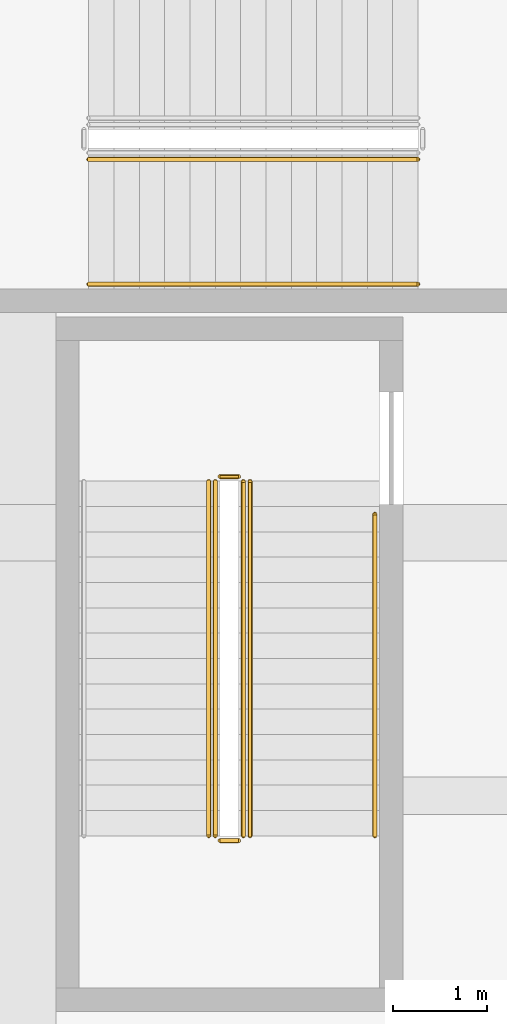
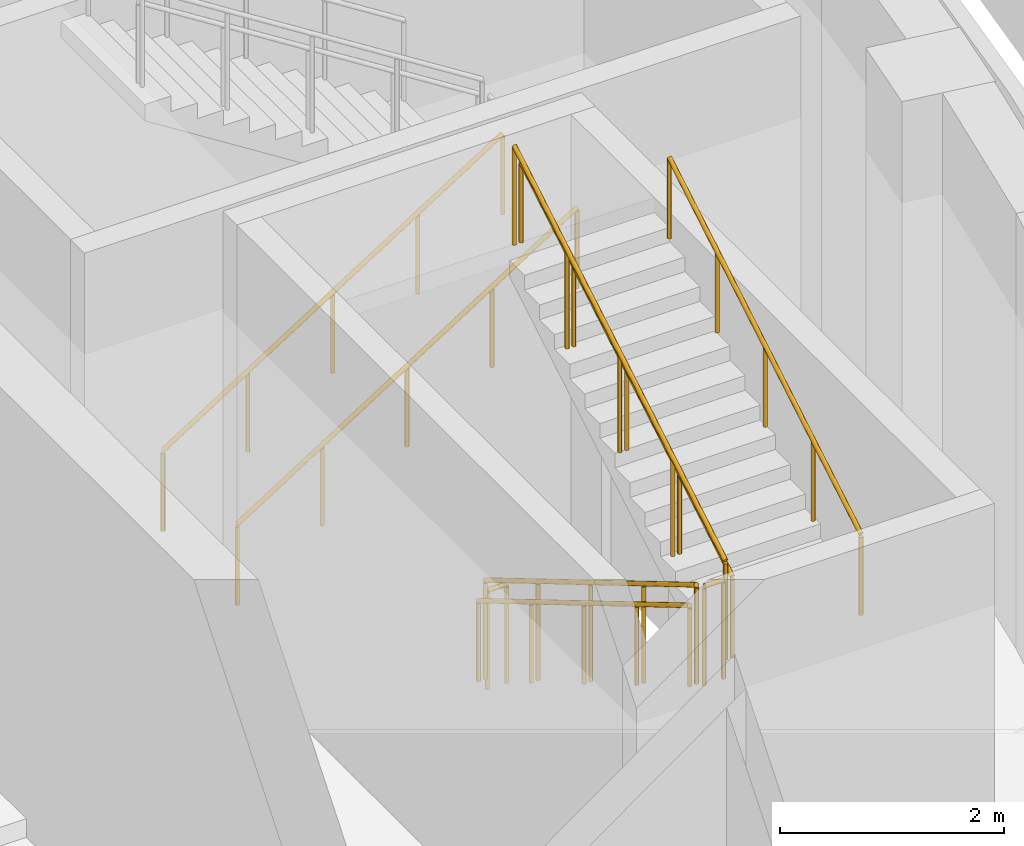
# One storey, part 102 of 119: 9 railings.
"""IFC4 building model written with IfcOpenShell, lengths in metres."""

import ifcopenshell
import ifcopenshell.guid

model = None  # the IFC model being written
_history = None  # IfcOwnerHistory: only IFC2X3 demands one
_inside = {}  # id of a spatial element -> (the spatial element, [elements in it])
_under = {}  # id of a project, library or spatial element -> (it, [spatial elements below it])
_declared = {}  # id of a project -> (the project, [libraries it declares])
_typed = {}  # id of a type object -> (the type object, [elements of that type])
_made_of = {}  # id of a material, layer set ... -> (it, [elements and type objects made of it])


def new_model(schema):
    """Start an empty IFC model of exactly this schema.

    Asked for "IFC4X3", IfcOpenShell would pick the latest addendum, in which some entities
    have other attributes; the version numbers below select the first issue.
    IFC2X3 requires an IfcOwnerHistory on every rooted entity: one is made here for all.
    """
    global model, _history
    if schema == "IFC4X3":
        model = ifcopenshell.file(schema_version=(4, 3, 0, 0))
    else:
        model = ifcopenshell.file(schema=schema)
    _inside.clear()
    _under.clear()
    _declared.clear()
    _typed.clear()
    _made_of.clear()
    _history = None
    if model.schema == "IFC2X3":
        org = make("IfcOrganization", Name="unknown")
        user = make(
            "IfcPersonAndOrganization",
            ThePerson=make("IfcPerson", FamilyName="unknown"),
            TheOrganization=org,
        )
        app = make(
            "IfcApplication",
            ApplicationDeveloper=org,
            Version="unknown",
            ApplicationFullName="unknown",
            ApplicationIdentifier="unknown",
        )
        _history = make(
            "IfcOwnerHistory",
            OwningUser=user,
            OwningApplication=app,
            ChangeAction="ADDED",
            CreationDate=0,
        )
    return model


def make(cls, **values):
    """One entity of the class cls with the attributes given. An attribute that is None is left unset."""
    return model.create_entity(
        cls, **{name: value for name, value in values.items() if value is not None}
    )


def rooted(cls, **values):
    """An entity with a GlobalId (a new one), such as an element, a storey or a relation."""
    return make(cls, GlobalId=ifcopenshell.guid.new(), OwnerHistory=_history, **values)


def si_unit(unit_type, name, prefix=None):
    """IfcSIUnit, for example si_unit("LENGTHUNIT", "METRE", prefix="MILLI")."""
    return make("IfcSIUnit", UnitType=unit_type, Prefix=prefix, Name=name)


def assignment(units):
    """IfcUnitAssignment: the units of a project."""
    return None if units is None else make("IfcUnitAssignment", Units=units)


def point(xyz):
    """IfcCartesianPoint."""
    return None if xyz is None else make("IfcCartesianPoint", Coordinates=xyz)


def direction(xyz):
    """IfcDirection."""
    return None if xyz is None else make("IfcDirection", DirectionRatios=xyz)


def frame(location, z_axis=None, x_axis=None):
    """IfcAxis2Placement3D, a coordinate frame: its origin and axes. An axis left out is left unset."""
    return make(
        "IfcAxis2Placement3D",
        Location=point(location),
        Axis=direction(z_axis),
        RefDirection=direction(x_axis),
    )


def frame_2d(location, x_axis=None):
    """IfcAxis2Placement2D, a coordinate frame in the plane: its origin and x axis."""
    return make(
        "IfcAxis2Placement2D", Location=point(location), RefDirection=direction(x_axis)
    )


def origin():
    """The frame at (0, 0, 0) with its axes left unset."""
    return frame((0.0, 0.0, 0.0))


def origin_2d():
    """The frame at (0, 0) in the plane with its x axis left unset."""
    return frame_2d((0.0, 0.0))


def place(relative_to, where):
    """IfcLocalPlacement: puts the frame where relative to a parent placement (None: the world)."""
    return make(
        "IfcLocalPlacement", PlacementRelTo=relative_to, RelativePlacement=where
    )


def context(
    kind, dimensions, precision=None, world=None, true_north=None, identifier=None
):
    """IfcGeometricRepresentationContext, for example the 3D "Model" context."""
    return make(
        "IfcGeometricRepresentationContext",
        ContextIdentifier=identifier,
        ContextType=kind,
        CoordinateSpaceDimension=dimensions,
        Precision=precision,
        WorldCoordinateSystem=world,
        TrueNorth=true_north,
    )


def subcontext(parent, identifier, kind, view, scale=None):
    """IfcGeometricRepresentationSubContext, for example "Body" below "Model"."""
    return make(
        "IfcGeometricRepresentationSubContext",
        ContextIdentifier=identifier,
        ContextType=kind,
        ParentContext=parent,
        TargetScale=scale,
        TargetView=view,
    )


def project(units=None, contexts=None):
    """IfcProject with its units and contexts."""
    return rooted(
        "IfcProject",
        Name="project",
        RepresentationContexts=contexts,
        UnitsInContext=assignment(units),
    )


def spatial(cls, under=None, at=None, **own):
    """A site, building, storey or space (cls), placed at a placement, below another one or the project."""
    s = rooted(cls, ObjectPlacement=at, **own)
    if under is not None:
        _under.setdefault(under.id(), (under, []))[1].append(s)
    return s


def profile(cls, at=None, kind="AREA", **sizes):
    """A parametric profile (cls). Its sizes go by their IFC names, for example OverallWidth=200.0."""
    return make(cls, ProfileType=kind, Position=at, **sizes)


def circle(**sizes):
    """IfcCircleProfileDef."""
    return profile("IfcCircleProfileDef", **sizes)


def extrude(swept, where, along, depth):
    """IfcExtrudedAreaSolid: the profile swept, set in the frame where, extruded along a direction by depth."""
    return make(
        "IfcExtrudedAreaSolid",
        SweptArea=swept,
        Position=where,
        ExtrudedDirection=direction(along),
        Depth=depth,
    )


def shape(context_of_items, identifier, shape_type, items):
    """IfcShapeRepresentation: the items that make up one representation, for example the "Body"."""
    return make(
        "IfcShapeRepresentation",
        ContextOfItems=context_of_items,
        RepresentationIdentifier=identifier,
        RepresentationType=shape_type,
        Items=items,
    )


def material(Name=None, Category=None):
    """IfcMaterial."""
    return make("IfcMaterial", Name=Name, Category=Category)


def made_of(thing, what):
    """Note that an element or type object is made of a material, layer set ...; save() writes the relation."""
    if what is not None:
        _made_of.setdefault(what.id(), (what, []))[1].append(thing)
    return thing


def type_object(cls, material=None, **own):
    """A type object (cls), such as IfcWallType, which elements share."""
    return made_of(rooted(cls, **own), material)


def element(
    cls,
    number,
    at=None,
    inside=None,
    cuts=None,
    type_object=None,
    material=None,
    context=None,
    identifier="Body",
    shape_type=None,
    held_by="IfcProductDefinitionShape",
    body=None,
    shapes=None,
    **own,
):
    """One element of the class cls, such as IfcWall. Its Tag is "e" and its number.

    at: its placement. inside: the storey or other place that contains it. cuts: it is an
    opening in that element (IfcRelVoidsElement). A single representation is given by context,
    identifier, shape_type and body (its items); several are given by shapes. held_by: the class
    of the entity that holds the representations. save() writes the other relations.
    """
    e = rooted(cls, Tag="e%d" % number, ObjectPlacement=at, **own)
    if body is not None:
        shapes = [shape(context, identifier, shape_type, body)]
    if shapes is not None:
        e.Representation = make(held_by, Representations=shapes)
    if inside is not None:
        _inside.setdefault(inside.id(), (inside, []))[1].append(e)
    if cuts is not None:
        rooted(
            "IfcRelVoidsElement", RelatingBuildingElement=cuts, RelatedOpeningElement=e
        )
    if type_object is not None:
        _typed.setdefault(type_object.id(), (type_object, []))[1].append(e)
    return made_of(e, material)


def aggregate(whole, parts):
    """IfcRelAggregates: a whole, such as a stair, and the parts it consists of."""
    return rooted("IfcRelAggregates", RelatingObject=whole, RelatedObjects=parts)


def save(model, path):
    """Write the relations noted so far, then the file.

    IfcRelAggregates (storeys below a building ...), IfcRelContainedInSpatialStructure (elements
    in a storey), IfcRelDefinesByType, IfcRelAssociatesMaterial and IfcRelDeclares: one each for
    every whole, place, type object, material and project.
    """
    for whole, parts in _under.values():
        aggregate(whole, parts)
    for where, things in _inside.values():
        rooted(
            "IfcRelContainedInSpatialStructure",
            RelatedElements=things,
            RelatingStructure=where,
        )
    for kind, things in _typed.values():
        rooted("IfcRelDefinesByType", RelatedObjects=things, RelatingType=kind)
    for what, things in _made_of.values():
        rooted("IfcRelAssociatesMaterial", RelatedObjects=things, RelatingMaterial=what)
    for by, libraries in _declared.values():
        rooted("IfcRelDeclares", RelatingContext=by, RelatedDefinitions=libraries)
    model.write(path)


model = new_model("IFC4")

# Units and contexts
model_context = context("Model", 3, precision=1e-05, world=origin(), true_north=direction((0.0, 1.0)))
body_context = subcontext(model_context, "Body", "Model", "MODEL_VIEW")
ifc_project = project(units=[si_unit("LENGTHUNIT", "METRE"), si_unit("AREAUNIT", "SQUARE_METRE"), si_unit("VOLUMEUNIT", "CUBIC_METRE"), si_unit("PLANEANGLEUNIT", "RADIAN"), si_unit("MASSUNIT", "GRAM", prefix="KILO")], contexts=[model_context])

# Site, building, storey
site_placement = place(None, origin())
site = spatial("IfcSite", under=ifc_project, at=site_placement, CompositionType="ELEMENT")
building_placement = place(site_placement, origin())
building = spatial("IfcBuilding", under=site, at=building_placement, Name="Larchfold Concert Hall", CompositionType="ELEMENT")
storey_placement = place(building_placement, frame((0.0, 0.0, 4.800048828125)))
storey = spatial("IfcBuildingStorey", under=building, at=storey_placement, Name="L01", CompositionType="ELEMENT", Elevation=4.800048828125)

# Railings
ifc_material_1 = material(Name="Stainless steel balustrade", Category="steel")
railing_type_1 = type_object("IfcRailingType", Name="Stair guard 1100", PredefinedType="GUARDRAIL", material=ifc_material_1)
railing_1_placement = place(storey_placement, frame((61.39990234375, 76.75, 0.159912109375)))
element("IfcRailing", 1, at=railing_1_placement, inside=storey, type_object=railing_type_1, Name="Guard GR0023", PredefinedType="GUARDRAIL", context=body_context, shape_type="SweptSolid", body=[
    extrude(circle(Radius=0.02392578125, at=origin_2d()), frame((0.0, 0.0, 1.076171875), z_axis=(0.0, -0.860294241299, 0.509797821089), x_axis=(1.0, 0.0, 0.0)), (0.0, 0.0, 1.0), 4.393798828125),
    extrude(circle(Radius=0.02099609375, at=origin_2d()), origin(), (0.0, 0.0, 1.0), 1.052001953125),
    extrude(circle(Radius=0.02099609375, at=origin_2d()), frame((0.0, -0.945068359375, 0.56005859375)), (0.0, 0.0, 1.0), 1.052001953125),
    extrude(circle(Radius=0.02099609375, at=origin_2d()), frame((0.0, -1.89013671875, 1.1201171875)), (0.0, 0.0, 1.0), 1.052001953125),
    extrude(circle(Radius=0.02099609375, at=origin_2d()), frame((0.0, -2.8349609375, 1.679931640625)), (0.0, 0.0, 1.0), 1.052001953125),
    extrude(circle(Radius=0.02099609375, at=origin_2d()), frame((0.0, -3.780029296875, 2.239990234375)), (0.0, 0.0, 1.0), 1.052001953125),
])
railing_2_placement = place(storey_placement, frame((61.449951171875, 72.919921875, 2.39990234375)))
element("IfcRailing", 2, at=railing_2_placement, inside=storey, type_object=railing_type_1, Name="Guard GR0024", PredefinedType="GUARDRAIL", context=body_context, shape_type="SweptSolid", body=[
    extrude(circle(Radius=0.02392578125, at=origin_2d()), frame((0.0, 0.0, 1.076171875), z_axis=(1.0, 0.0, 0.0), x_axis=(0.0, 1.0, 0.0)), (0.0, 0.0, 1.0), 0.199951171875),
    extrude(circle(Radius=0.02099609375, at=origin_2d()), origin(), (0.0, 0.0, 1.0), 1.052001953125),
    extrude(circle(Radius=0.02099609375, at=origin_2d()), frame((0.199951171875, 0.0, 0.0)), (0.0, 0.0, 1.0), 1.052001953125),
])
railing_3_placement = place(storey_placement, frame((61.699951171875, 72.969970703125, 2.56005859375)))
element("IfcRailing", 3, at=railing_3_placement, inside=storey, type_object=railing_type_1, Name="Guard GR0025", PredefinedType="GUARDRAIL", context=body_context, shape_type="SweptSolid", body=[
    extrude(circle(Radius=0.02392578125, at=origin_2d()), frame((0.0, 0.0, 1.076171875), z_axis=(0.0, 0.860294241299, 0.509797821089), x_axis=(-1.0, 0.0, 0.0)), (0.0, 0.0, 1.0), 4.393798828125),
    extrude(circle(Radius=0.02099609375, at=origin_2d()), origin(), (0.0, 0.0, 1.0), 1.052001953125),
    extrude(circle(Radius=0.02099609375, at=origin_2d()), frame((0.0, 0.945068359375, 0.56005859375)), (0.0, 0.0, 1.0), 1.052001953125),
    extrude(circle(Radius=0.02099609375, at=origin_2d()), frame((0.0, 1.89013671875, 1.1201171875)), (0.0, 0.0, 1.0), 1.052001953125),
    extrude(circle(Radius=0.02099609375, at=origin_2d()), frame((0.0, 2.8349609375, 1.679931640625)), (0.0, 0.0, 1.0), 1.052001953125),
    extrude(circle(Radius=0.02099609375, at=origin_2d()), frame((0.0, 3.780029296875, 2.239990234375)), (0.0, 0.0, 1.0), 1.052001953125),
])
railing_4_placement = place(storey_placement, frame((61.449951171875, 76.800048828125, 0.0)))
element("IfcRailing", 4, at=railing_4_placement, inside=storey, type_object=railing_type_1, Name="Guard GR0026", PredefinedType="GUARDRAIL", context=body_context, shape_type="SweptSolid", body=[
    extrude(circle(Radius=0.02392578125, at=origin_2d()), frame((0.0, 0.0, 1.076171875), z_axis=(1.0, 0.0, 0.0), x_axis=(0.0, 1.0, 0.0)), (0.0, 0.0, 1.0), 0.199951171875),
    extrude(circle(Radius=0.02099609375, at=origin_2d()), origin(), (0.0, 0.0, 1.0), 1.052001953125),
    extrude(circle(Radius=0.02099609375, at=origin_2d()), frame((0.199951171875, 0.0, 0.0)), (0.0, 0.0, 1.0), 1.052001953125),
])
ifc_material_2 = material(Name="Stainless steel handrail", Category="steel")
railing_type_2 = type_object("IfcRailingType", Name="Stair handrail 900", PredefinedType="HANDRAIL", material=ifc_material_2)
railing_5_placement = place(storey_placement, frame((63.10009765625, 72.969970703125, 2.56005859375)))
element("IfcRailing", 5, at=railing_5_placement, inside=storey, type_object=railing_type_2, Name="Handrail HR0022", PredefinedType="HANDRAIL", context=body_context, shape_type="SweptSolid", body=[
    extrude(circle(Radius=0.02392578125, at=origin_2d()), frame((0.0, 0.0, 0.8759765625), z_axis=(0.0, 0.860300485727, 0.509787283342), x_axis=(-1.0, 0.0, 0.0)), (0.0, 0.0, 1.0), 3.98681640625),
    extrude(circle(Radius=0.02099609375, at=origin_2d()), origin(), (0.0, 0.0, 1.0), 0.851806640625),
    extrude(circle(Radius=0.02099609375, at=origin_2d()), frame((0.0, 0.857421875, 0.508056640625)), (0.0, 0.0, 1.0), 0.851806640625),
    extrude(circle(Radius=0.02099609375, at=origin_2d()), frame((0.0, 1.71484375, 1.01611328125)), (0.0, 0.0, 1.0), 0.851806640625),
    extrude(circle(Radius=0.02099609375, at=origin_2d()), frame((0.0, 2.572509765625, 1.5244140625)), (0.0, 0.0, 1.0), 0.851806640625),
    extrude(circle(Radius=0.02099609375, at=origin_2d()), frame((0.0, 3.429931640625, 2.032470703125)), (0.0, 0.0, 1.0), 0.851806640625),
])
railing_6_placement = place(storey_placement, frame((61.329833984375, 76.75, 0.159912109375)))
element("IfcRailing", 6, at=railing_6_placement, inside=storey, type_object=railing_type_2, Name="Handrail HR0023", PredefinedType="HANDRAIL", context=body_context, shape_type="SweptSolid", body=[
    extrude(circle(Radius=0.02392578125, at=origin_2d()), frame((0.0, 0.0, 0.8759765625), z_axis=(0.0, -0.860294241299, 0.509797821089), x_axis=(1.0, 0.0, 0.0)), (0.0, 0.0, 1.0), 4.393798828125),
    extrude(circle(Radius=0.02099609375, at=origin_2d()), origin(), (0.0, 0.0, 1.0), 0.851806640625),
    extrude(circle(Radius=0.02099609375, at=origin_2d()), frame((0.0, -0.945068359375, 0.56005859375)), (0.0, 0.0, 1.0), 0.851806640625),
    extrude(circle(Radius=0.02099609375, at=origin_2d()), frame((0.0, -1.89013671875, 1.1201171875)), (0.0, 0.0, 1.0), 0.851806640625),
    extrude(circle(Radius=0.02099609375, at=origin_2d()), frame((0.0, -2.8349609375, 1.679931640625)), (0.0, 0.0, 1.0), 0.851806640625),
    extrude(circle(Radius=0.02099609375, at=origin_2d()), frame((0.0, -3.780029296875, 2.239990234375)), (0.0, 0.0, 1.0), 0.851806640625),
])
railing_7_placement = place(storey_placement, frame((61.77001953125, 72.969970703125, 2.56005859375)))
element("IfcRailing", 7, at=railing_7_placement, inside=storey, type_object=railing_type_2, Name="Handrail HR0024", PredefinedType="HANDRAIL", context=body_context, shape_type="SweptSolid", body=[
    extrude(circle(Radius=0.02392578125, at=origin_2d()), frame((0.0, 0.0, 0.8759765625), z_axis=(0.0, 0.860294241299, 0.509797821089), x_axis=(-1.0, 0.0, 0.0)), (0.0, 0.0, 1.0), 4.393798828125),
    extrude(circle(Radius=0.02099609375, at=origin_2d()), origin(), (0.0, 0.0, 1.0), 0.851806640625),
    extrude(circle(Radius=0.02099609375, at=origin_2d()), frame((0.0, 0.945068359375, 0.56005859375)), (0.0, 0.0, 1.0), 0.851806640625),
    extrude(circle(Radius=0.02099609375, at=origin_2d()), frame((0.0, 1.89013671875, 1.1201171875)), (0.0, 0.0, 1.0), 0.851806640625),
    extrude(circle(Radius=0.02099609375, at=origin_2d()), frame((0.0, 2.8349609375, 1.679931640625)), (0.0, 0.0, 1.0), 0.851806640625),
    extrude(circle(Radius=0.02099609375, at=origin_2d()), frame((0.0, 3.780029296875, 2.239990234375)), (0.0, 0.0, 1.0), 0.851806640625),
])
for number, where, name in (
    (8, (60.050048828125, 78.85009765625, 0.17138671875), "Handrail HR0029"),
    (9, (60.050048828125, 80.179931640625, 0.17138671875), "Handrail HR0031"),
):
    element("IfcRailing", number, at=place(storey_placement, frame(where)), inside=storey, type_object=railing_type_2, Name=name, PredefinedType="HANDRAIL", context=body_context, shape_type="SweptSolid", body=[
        extrude(circle(Radius=0.02392578125, at=origin_2d()), frame((0.0, 0.0, 0.8759765625), z_axis=(0.844219563411, 0.0, 0.53599750816), x_axis=(0.0, 1.0, 0.0)), (0.0, 0.0, 1.0), 4.15771484375),
        extrude(circle(Radius=0.02099609375, at=origin_2d()), origin(), (0.0, 0.0, 1.0), 0.851806640625),
        extrude(circle(Radius=0.02099609375, at=origin_2d()), frame((0.87744140625, 0.0, 0.55712890625)), (0.0, 0.0, 1.0), 0.851806640625),
        extrude(circle(Radius=0.02099609375, at=origin_2d()), frame((1.7548828125, 0.0, 1.1142578125)), (0.0, 0.0, 1.0), 0.851806640625),
        extrude(circle(Radius=0.02099609375, at=origin_2d()), frame((2.632568359375, 0.0, 1.67138671875)), (0.0, 0.0, 1.0), 0.851806640625),
        extrude(circle(Radius=0.02099609375, at=origin_2d()), frame((3.510009765625, 0.0, 2.228515625)), (0.0, 0.0, 1.0), 0.851806640625),
    ])

save(model, "model.ifc")
